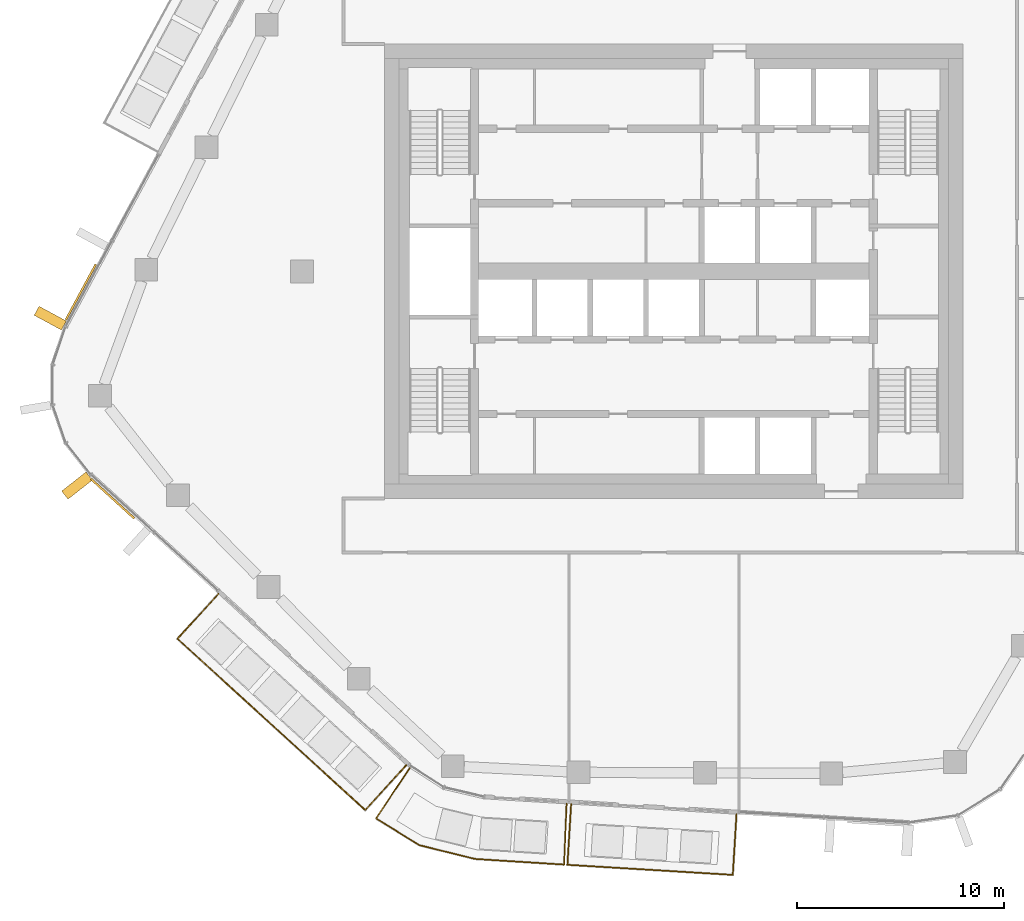
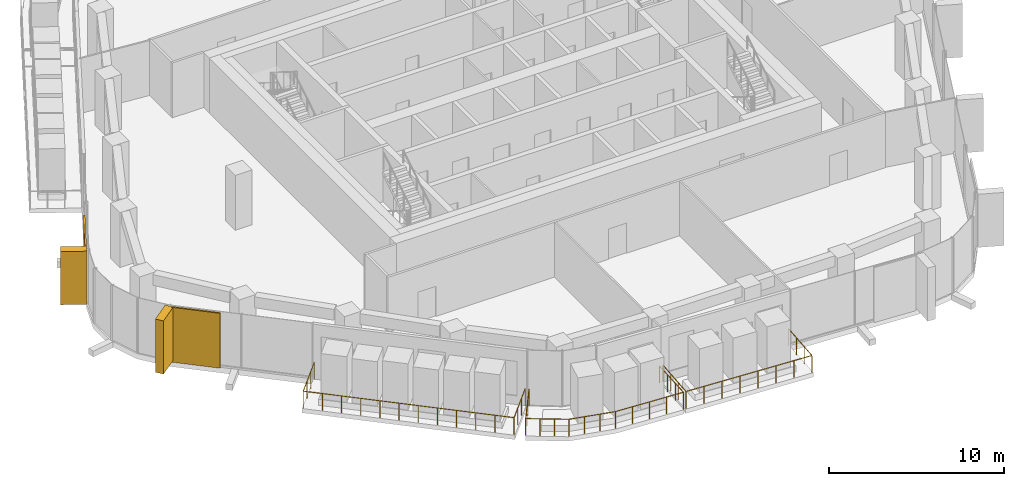
# One storey, part 15 of 20: 4 coverings, 3 railings, 3 elements without a shape of their own.
"""IFC4 building model written with IfcOpenShell, lengths in metres."""

from ifc_helpers import new_model, si_unit, direction, frame, origin, origin_2d, place, context, subcontext, project, spatial, rectangle, circle, extrude, material, layer, layer_set, material_profile, profile_set, type_object, element, aggregate, save


model = new_model("IFC4")

# Units and contexts
model_context = context("Model", 3, precision=1e-05, world=origin(), true_north=direction((0.0, 1.0)))
body_context = subcontext(model_context, "Body", "Model", "MODEL_VIEW")
ifc_project = project(units=[si_unit("LENGTHUNIT", "METRE"), si_unit("AREAUNIT", "SQUARE_METRE"), si_unit("VOLUMEUNIT", "CUBIC_METRE"), si_unit("PLANEANGLEUNIT", "RADIAN"), si_unit("MASSUNIT", "GRAM", prefix="KILO")], contexts=[model_context])

# Site, building, storey
site_placement = place(None, origin())
site = spatial("IfcSite", under=ifc_project, at=site_placement, CompositionType="ELEMENT")
building_placement = place(site_placement, origin())
building = spatial("IfcBuilding", under=site, at=building_placement, Name="Dongbaek Canopy Tower", CompositionType="ELEMENT")
storey_placement = place(building_placement, frame((0.0, 0.0, 258.0)))
storey = spatial("IfcBuildingStorey", under=building, at=storey_placement, Name="L54", CompositionType="ELEMENT", Elevation=258.0)

# Railings
ifc_material_1 = material(Name="Stainless steel", Category="steel")
railing_type = type_object("IfcRailingType", Name="Balcony balustrade 1200", PredefinedType="BALUSTRADE", material=ifc_material_1)
railing_1_placement = place(storey_placement, frame((-22.044921875, -15.609375, 0.0)))
element("IfcRailing", 1, at=railing_1_placement, inside=storey, type_object=railing_type, Name="Balcony guard L54 3", PredefinedType="BALUSTRADE", context=body_context, shape_type="SweptSolid", body=[
    extrude(circle(Radius=0.02392578125, at=origin_2d()), frame((0.0, 0.0, 1.17578125), z_axis=(-0.673849872767, -0.738868289326, 0.0), x_axis=(0.738868289326, -0.673849872767, 0.0)), (0.0, 0.0, 1.0), 2.940185546875),
    extrude(circle(Radius=0.02392578125, at=origin_2d()), frame((-1.981201171875, -2.17236328125, 1.17578125), z_axis=(0.738846279303, -0.673874005702, 0.0), x_axis=(0.673874005702, 0.738846279303, 0.0)), (0.0, 0.0, 1.0), 12.302490234375),
    extrude(circle(Radius=0.02392578125, at=origin_2d()), frame((7.1083984375, -10.462646484375, 1.17578125), z_axis=(0.673891217517, 0.738830580684, 0.0), x_axis=(-0.738830580684, 0.673891217517, 0.0)), (0.0, 0.0, 1.0), 2.93994140625),
    extrude(circle(Radius=0.02099609375, at=origin_2d()), origin(), (0.0, 0.0, 1.0), 1.15185546875),
    extrude(circle(Radius=0.02099609375, at=origin_2d()), frame((-0.660400390625, -0.72412109375, 0.0)), (0.0, 0.0, 1.0), 1.15185546875),
    extrude(circle(Radius=0.02099609375, at=origin_2d()), frame((-1.32080078125, -1.4482421875, 0.0)), (0.0, 0.0, 1.0), 1.15185546875),
    extrude(circle(Radius=0.02099609375, at=origin_2d()), frame((-1.981201171875, -2.17236328125, 0.0)), (0.0, 0.0, 1.0), 1.15185546875),
    extrude(circle(Radius=0.02099609375, at=origin_2d()), frame((-1.15478515625, -2.926025390625, 0.0)), (0.0, 0.0, 1.0), 1.15185546875),
    extrude(circle(Radius=0.02099609375, at=origin_2d()), frame((-0.32861328125, -3.6796875, 0.0)), (0.0, 0.0, 1.0), 1.15185546875),
    extrude(circle(Radius=0.02099609375, at=origin_2d()), frame((0.497802734375, -4.433349609375, 0.0)), (0.0, 0.0, 1.0), 1.15185546875),
    extrude(circle(Radius=0.02099609375, at=origin_2d()), frame((1.32421875, -5.18701171875, 0.0)), (0.0, 0.0, 1.0), 1.15185546875),
    extrude(circle(Radius=0.02099609375, at=origin_2d()), frame((2.150390625, -5.940673828125, 0.0)), (0.0, 0.0, 1.0), 1.15185546875),
    extrude(circle(Radius=0.02099609375, at=origin_2d()), frame((2.976806640625, -6.6943359375, 0.0)), (0.0, 0.0, 1.0), 1.15185546875),
    extrude(circle(Radius=0.02099609375, at=origin_2d()), frame((3.802978515625, -7.447998046875, 0.0)), (0.0, 0.0, 1.0), 1.15185546875),
    extrude(circle(Radius=0.02099609375, at=origin_2d()), frame((4.62939453125, -8.20166015625, 0.0)), (0.0, 0.0, 1.0), 1.15185546875),
    extrude(circle(Radius=0.02099609375, at=origin_2d()), frame((5.455810546875, -8.955322265625, 0.0)), (0.0, 0.0, 1.0), 1.15185546875),
    extrude(circle(Radius=0.02099609375, at=origin_2d()), frame((6.281982421875, -9.708984375, 0.0)), (0.0, 0.0, 1.0), 1.15185546875),
    extrude(circle(Radius=0.02099609375, at=origin_2d()), frame((7.1083984375, -10.462646484375, 0.0)), (0.0, 0.0, 1.0), 1.15185546875),
    extrude(circle(Radius=0.02099609375, at=origin_2d()), frame((7.768798828125, -9.738525390625, 0.0)), (0.0, 0.0, 1.0), 1.15185546875),
    extrude(circle(Radius=0.02099609375, at=origin_2d()), frame((8.42919921875, -9.0146484375, 0.0)), (0.0, 0.0, 1.0), 1.15185546875),
    extrude(circle(Radius=0.02099609375, at=origin_2d()), frame((9.089599609375, -8.29052734375, 0.0)), (0.0, 0.0, 1.0), 1.15185546875),
])
railing_2_placement = place(storey_placement, frame((-4.973388671875, -25.78662109375, 0.0)))
element("IfcRailing", 2, at=railing_2_placement, inside=storey, type_object=railing_type, Name="Balcony guard L54 4", PredefinedType="BALUSTRADE", context=body_context, shape_type="SweptSolid", body=[
    extrude(circle(Radius=0.02392578125, at=origin_2d()), frame((0.0, 0.0, 1.17578125), z_axis=(-0.060785890692, -0.998150828028, 0.0), x_axis=(0.998150828028, -0.060785890692, 0.0)), (0.0, 0.0, 1.0), 2.93994140625),
    extrude(circle(Radius=0.02392578125, at=origin_2d()), frame((-0.1787109375, -2.9345703125, 1.17578125), z_axis=(0.998152082378, -0.060765289793, 0.0), x_axis=(0.060765289793, 0.998152082378, 0.0)), (0.0, 0.0, 1.0), 8.01953125),
    extrude(circle(Radius=0.02392578125, at=origin_2d()), frame((7.825927734375, -3.421875, 1.17578125), z_axis=(0.060785890692, 0.998150828028, 0.0), x_axis=(-0.998150828028, 0.060785890692, 0.0)), (0.0, 0.0, 1.0), 2.93994140625),
    extrude(circle(Radius=0.02099609375, at=origin_2d()), origin(), (0.0, 0.0, 1.0), 1.15185546875),
    extrude(circle(Radius=0.02099609375, at=origin_2d()), frame((-0.0595703125, -0.978271484375, 0.0)), (0.0, 0.0, 1.0), 1.15185546875),
    extrude(circle(Radius=0.02099609375, at=origin_2d()), frame((-0.119140625, -1.956298828125, 0.0)), (0.0, 0.0, 1.0), 1.15185546875),
    extrude(circle(Radius=0.02099609375, at=origin_2d()), frame((-0.1787109375, -2.9345703125, 0.0)), (0.0, 0.0, 1.0), 1.15185546875),
    extrude(circle(Radius=0.02099609375, at=origin_2d()), frame((0.96484375, -3.004150390625, 0.0)), (0.0, 0.0, 1.0), 1.15185546875),
    extrude(circle(Radius=0.02099609375, at=origin_2d()), frame((2.1083984375, -3.07373046875, 0.0)), (0.0, 0.0, 1.0), 1.15185546875),
    extrude(circle(Radius=0.02099609375, at=origin_2d()), frame((3.251953125, -3.143310546875, 0.0)), (0.0, 0.0, 1.0), 1.15185546875),
    extrude(circle(Radius=0.02099609375, at=origin_2d()), frame((4.395263671875, -3.213134765625, 0.0)), (0.0, 0.0, 1.0), 1.15185546875),
    extrude(circle(Radius=0.02099609375, at=origin_2d()), frame((5.538818359375, -3.28271484375, 0.0)), (0.0, 0.0, 1.0), 1.15185546875),
    extrude(circle(Radius=0.02099609375, at=origin_2d()), frame((6.682373046875, -3.352294921875, 0.0)), (0.0, 0.0, 1.0), 1.15185546875),
    extrude(circle(Radius=0.02099609375, at=origin_2d()), frame((7.825927734375, -3.421875, 0.0)), (0.0, 0.0, 1.0), 1.15185546875),
    extrude(circle(Radius=0.02099609375, at=origin_2d()), frame((7.885498046875, -2.443603515625, 0.0)), (0.0, 0.0, 1.0), 1.15185546875),
    extrude(circle(Radius=0.02099609375, at=origin_2d()), frame((7.945068359375, -1.465576171875, 0.0)), (0.0, 0.0, 1.0), 1.15185546875),
    extrude(circle(Radius=0.02099609375, at=origin_2d()), frame((8.004638671875, -0.4873046875, 0.0)), (0.0, 0.0, 1.0), 1.15185546875),
])
railing_3_placement = place(storey_placement, frame((-12.781494140625, -24.033203125, 0.0)))
element("IfcRailing", 3, at=railing_3_placement, inside=storey, type_object=railing_type, Name="Balcony guard L54 7", PredefinedType="BALUSTRADE", context=body_context, shape_type="SweptSolid", body=[
    extrude(circle(Radius=0.02392578125, at=origin_2d()), frame((0.0, 0.0, 1.17578125), z_axis=(-0.556519040496, -0.830834855772, 0.0), x_axis=(0.830834855772, -0.556519040496, 0.0)), (0.0, 0.0, 1.0), 2.940673828125),
    extrude(circle(Radius=0.02392578125, at=origin_2d()), frame((-1.636474609375, -2.443115234375, 1.17578125), z_axis=(0.851095144387, -0.525011481018, 0.0), x_axis=(0.525011481018, 0.851095144387, 0.0)), (0.0, 0.0, 1.0), 2.472900390625),
    extrude(circle(Radius=0.02392578125, at=origin_2d()), frame((0.46826171875, -3.741455078125, 1.17578125), z_axis=(0.970883915813, -0.239550458183, 0.0), x_axis=(0.239550458183, 0.970883915813, 0.0)), (0.0, 0.0, 1.0), 2.772216796875),
    extrude(circle(Radius=0.02392578125, at=origin_2d()), frame((3.15966796875, -4.405517578125, 1.17578125), z_axis=(0.998000766769, -0.063201815863, 0.0), x_axis=(0.063201815863, 0.998000766769, 0.0)), (0.0, 0.0, 1.0), 4.318603515625),
    extrude(circle(Radius=0.02392578125, at=origin_2d()), frame((7.4697265625, -4.678466796875, 1.17578125), z_axis=(0.040349332627, 0.999185634082, 0.0), x_axis=(-0.999185634082, 0.040349332627, 0.0)), (0.0, 0.0, 1.0), 2.940673828125),
    extrude(circle(Radius=0.02099609375, at=origin_2d()), origin(), (0.0, 0.0, 1.0), 1.15185546875),
    extrude(circle(Radius=0.02099609375, at=origin_2d()), frame((-0.54541015625, -0.814453125, 0.0)), (0.0, 0.0, 1.0), 1.15185546875),
    extrude(circle(Radius=0.02099609375, at=origin_2d()), frame((-1.091064453125, -1.628662109375, 0.0)), (0.0, 0.0, 1.0), 1.15185546875),
    extrude(circle(Radius=0.02099609375, at=origin_2d()), frame((-1.636474609375, -2.443115234375, 0.0)), (0.0, 0.0, 1.0), 1.15185546875),
    extrude(circle(Radius=0.02099609375, at=origin_2d()), frame((-0.934814453125, -2.8759765625, 0.0)), (0.0, 0.0, 1.0), 1.15185546875),
    extrude(circle(Radius=0.02099609375, at=origin_2d()), frame((-0.2333984375, -3.30859375, 0.0)), (0.0, 0.0, 1.0), 1.15185546875),
    extrude(circle(Radius=0.02099609375, at=origin_2d()), frame((0.46826171875, -3.741455078125, 0.0)), (0.0, 0.0, 1.0), 1.15185546875),
    extrude(circle(Radius=0.02099609375, at=origin_2d()), frame((1.365478515625, -3.962890625, 0.0)), (0.0, 0.0, 1.0), 1.15185546875),
    extrude(circle(Radius=0.02099609375, at=origin_2d()), frame((2.262451171875, -4.18408203125, 0.0)), (0.0, 0.0, 1.0), 1.15185546875),
    extrude(circle(Radius=0.02099609375, at=origin_2d()), frame((3.15966796875, -4.405517578125, 0.0)), (0.0, 0.0, 1.0), 1.15185546875),
    extrude(circle(Radius=0.02099609375, at=origin_2d()), frame((4.2373046875, -4.4736328125, 0.0)), (0.0, 0.0, 1.0), 1.15185546875),
    extrude(circle(Radius=0.02099609375, at=origin_2d()), frame((5.314697265625, -4.5419921875, 0.0)), (0.0, 0.0, 1.0), 1.15185546875),
    extrude(circle(Radius=0.02099609375, at=origin_2d()), frame((6.39208984375, -4.6103515625, 0.0)), (0.0, 0.0, 1.0), 1.15185546875),
    extrude(circle(Radius=0.02099609375, at=origin_2d()), frame((7.4697265625, -4.678466796875, 0.0)), (0.0, 0.0, 1.0), 1.15185546875),
    extrude(circle(Radius=0.02099609375, at=origin_2d()), frame((7.50927734375, -3.698974609375, 0.0)), (0.0, 0.0, 1.0), 1.15185546875),
    extrude(circle(Radius=0.02099609375, at=origin_2d()), frame((7.548828125, -2.7197265625, 0.0)), (0.0, 0.0, 1.0), 1.15185546875),
    extrude(circle(Radius=0.02099609375, at=origin_2d()), frame((7.58837890625, -1.740234375, 0.0)), (0.0, 0.0, 1.0), 1.15185546875),
])

# Curtain wall, covering
ifc_material_2 = material(Name="Aluminium 6063-T6 pale anodised", Category="aluminium")
ifc_layer_1 = layer(ifc_material_2, 0.199951171875)
ifc_layer_set_1 = layer_set([ifc_layer_1], Name="CW-1 unitised tower curtain wall")
curtain_wall_type = type_object("IfcCurtainWallType", Name="CW-1 unitised tower curtain wall", PredefinedType="NOTDEFINED", material=ifc_layer_set_1)
curtain_wall_1_placement = place(storey_placement, origin())
curtain_wall_1 = element("IfcCurtainWall", 4, at=curtain_wall_1_placement, inside=storey, type_object=curtain_wall_type, Name="CW-1 curtain wall F2.1", PredefinedType="NOTDEFINED")
ifc_material_3 = material(Name="Perforated aluminium 6063-T6 pale metal screen", Category="aluminium")
ifc_layer_2 = layer(ifc_material_3, 0.10009765625)
ifc_layer_set_2 = layer_set([ifc_layer_2], Name="Facet screen FS1 100 pale metal")
covering_type_1 = type_object("IfcCoveringType", Name="Facet screen FS1 100 pale metal", PredefinedType="CLADDING", material=ifc_layer_set_2)
covering_1_placement = place(storey_placement, frame((-28.703857421875, -0.998291015625, 0.0), z_axis=(0.0, 0.0, 1.0), x_axis=(-0.475201953296, -0.879876754769, 0.0)))
covering_1 = element("IfcCovering", 5, at=covering_1_placement, type_object=covering_type_1, Name="Facet screen L54 F2", PredefinedType="CLADDING", context=body_context, shape_type="SweptSolid", body=[
    extrude(rectangle(XDim=3.052001953125, YDim=0.10009765625, at=origin_2d()), origin(), (0.0, 0.0, 1.0), 3.820068359375),
])

curtain_wall_2_placement = place(storey_placement, origin())
curtain_wall_2 = element("IfcCurtainWall", 6, at=curtain_wall_2_placement, inside=storey, type_object=curtain_wall_type, Name="CW-1 curtain wall F3.1", PredefinedType="NOTDEFINED")
covering_2_placement = place(storey_placement, frame((-27.1650390625, -11.001708984375, 0.0), z_axis=(0.0, 0.0, 1.0), x_axis=(0.738841236137, -0.673879535068, 0.0)))
covering_2 = element("IfcCovering", 7, at=covering_2_placement, type_object=covering_type_1, Name="Facet screen L54 F3", PredefinedType="CLADDING", context=body_context, shape_type="SweptSolid", body=[
    extrude(rectangle(XDim=2.824462890625, YDim=0.10009765625, at=origin_2d()), origin(), (0.0, 0.0, 1.0), 3.820068359375),
])
aggregate(curtain_wall_2, [covering_2])

# Covering
ifc_material_4 = material(Name="Aluminium 6063-T6 pale metal fin", Category="aluminium")
ifc_material_profile = material_profile(ifc_material_4, rectangle(XDim=1.5, YDim=0.5, at=origin_2d()), Name="Fin FN1 500 x 1500 pale metal")
ifc_profile_set = profile_set([ifc_material_profile], Name="Aluminium 6063-T6 pale metal fin")
covering_type_2 = type_object("IfcCoveringType", Name="Fin FN1 500 x 1500 pale metal", PredefinedType="CLADDING", material=ifc_profile_set)
covering_3_placement = place(storey_placement, frame((-30.18603515625, -2.26171875, 0.1201171875), z_axis=(0.0, 0.0, 1.0), x_axis=(-0.879876973154, 0.475201548938, 0.0)))
covering_3 = element("IfcCovering", 8, at=covering_3_placement, type_object=covering_type_2, Name="Fin F2.1.3", PredefinedType="CLADDING", context=body_context, shape_type="SweptSolid", body=[
    extrude(rectangle(XDim=1.5, YDim=0.5, at=origin_2d()), origin(), (0.0, 0.0, 1.0), 3.699951171875),
])

aggregate(curtain_wall_1, [covering_3, covering_1])

# Curtain wall, covering
curtain_wall_3_placement = place(storey_placement, origin())
curtain_wall_3 = element("IfcCurtainWall", 9, at=curtain_wall_3_placement, inside=storey, type_object=curtain_wall_type, Name="CW-1 curtain wall K3.1", PredefinedType="NOTDEFINED")
covering_4_placement = place(storey_placement, frame((-28.88916015625, -10.3662109375, 0.1201171875), z_axis=(0.0, 0.0, 1.0), x_axis=(-0.786588619061, -0.61747740393, 0.0)))
covering_4 = element("IfcCovering", 10, at=covering_4_placement, type_object=covering_type_2, Name="Fin K3.1.5", PredefinedType="CLADDING", context=body_context, shape_type="SweptSolid", body=[
    extrude(rectangle(XDim=1.5, YDim=0.5, at=origin_2d()), origin(), (0.0, 0.0, 1.0), 3.699951171875),
])
aggregate(curtain_wall_3, [covering_4])

save(model, "model.ifc")
